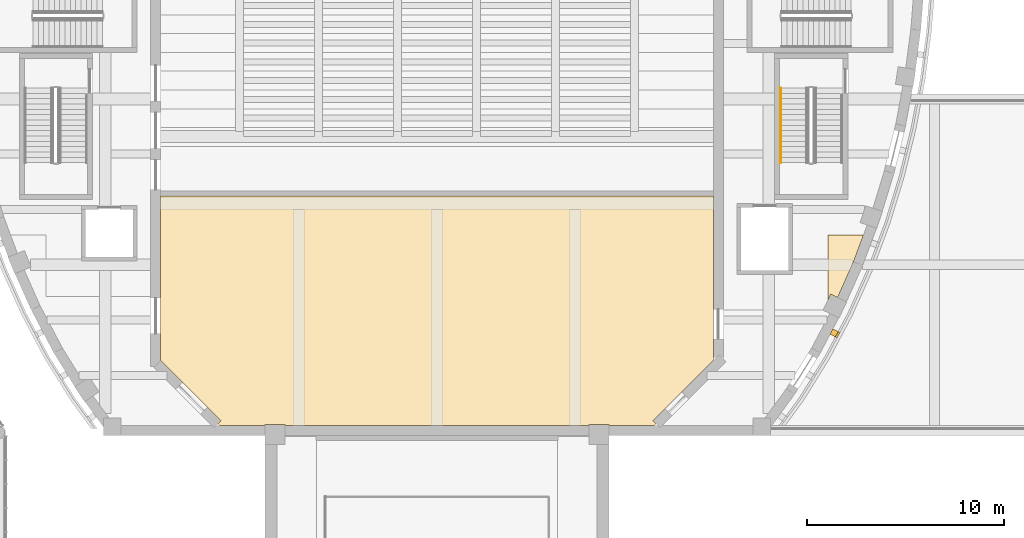
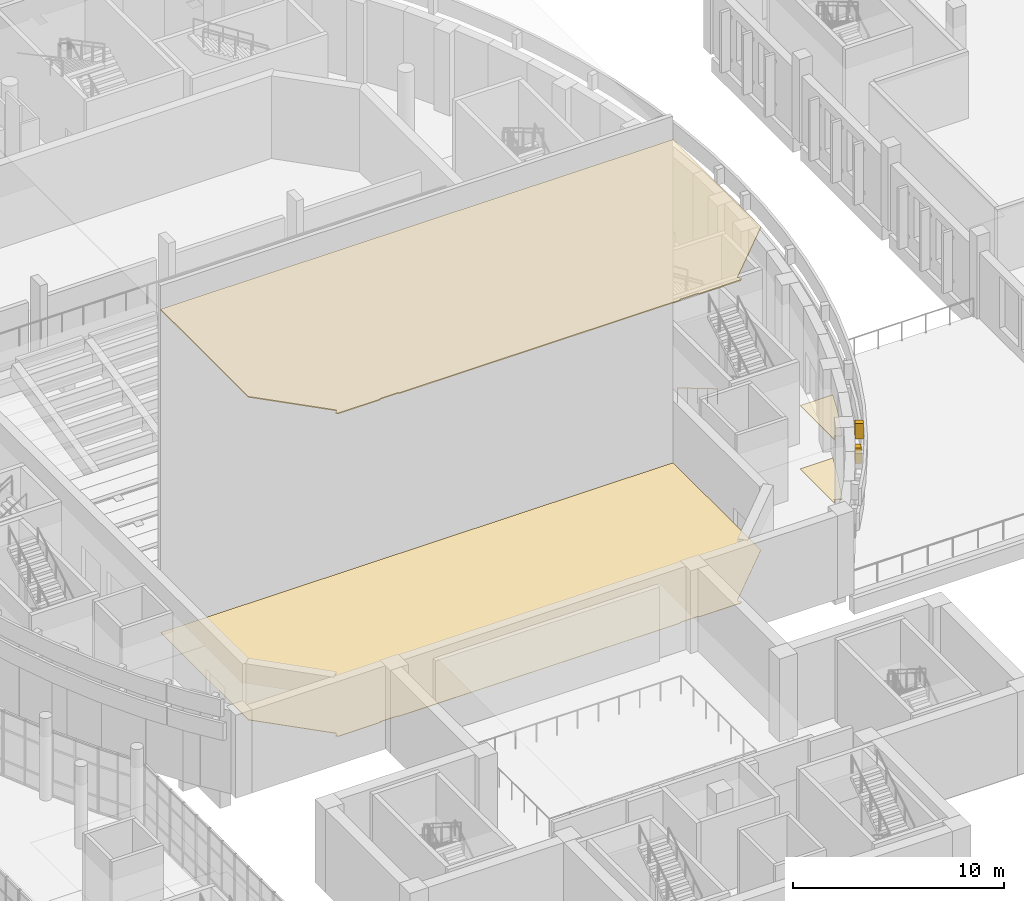
# One storey, part 101 of 119: 6 coverings, 1 railing.
"""IFC4 building model written with IfcOpenShell, lengths in metres."""

from ifc_helpers import new_model, si_unit, direction, frame, origin, origin_2d, place, context, subcontext, project, spatial, polyline, rectangle, circle, outline, extrude, material, layer, layer_set, type_object, element, save


model = new_model("IFC4")

# Units and contexts
model_context = context("Model", 3, precision=1e-05, world=origin(), true_north=direction((0.0, 1.0)))
body_context = subcontext(model_context, "Body", "Model", "MODEL_VIEW")
ifc_project = project(units=[si_unit("LENGTHUNIT", "METRE"), si_unit("AREAUNIT", "SQUARE_METRE"), si_unit("VOLUMEUNIT", "CUBIC_METRE"), si_unit("PLANEANGLEUNIT", "RADIAN"), si_unit("MASSUNIT", "GRAM", prefix="KILO")], contexts=[model_context])

# Site, building, storey
site_placement = place(None, origin())
site = spatial("IfcSite", under=ifc_project, at=site_placement, CompositionType="ELEMENT")
building_placement = place(site_placement, origin())
building = spatial("IfcBuilding", under=site, at=building_placement, Name="Larchfold Concert Hall", CompositionType="ELEMENT")
storey_placement = place(building_placement, frame((0.0, 0.0, 4.800048828125)))
storey = spatial("IfcBuildingStorey", under=building, at=storey_placement, Name="L01", CompositionType="ELEMENT", Elevation=4.800048828125)

# Coverings
ifc_material_1 = material(Name="Acoustic timber lining", Category="wood")
ifc_layer_1 = layer(ifc_material_1, 0.06005859375)
ifc_layer_set_1 = layer_set([ifc_layer_1], Name="Acoustic timber lining")
covering_type_1 = type_object("IfcCoveringType", Name="Ceiling acoustic timber lining 60", PredefinedType="CEILING", material=ifc_layer_set_1)
covering_1_placement = place(storey_placement, frame((0.0, 0.0, 19.83984375)))
element("IfcCovering", 1, at=covering_1_placement, inside=storey, type_object=covering_type_1, Name="Ceiling Concert Hall Platform", PredefinedType="CEILING", context=body_context, shape_type="SweptSolid", body=[
    extrude(outline(polyline([(31.654052734375, 59.8994140625), (31.50244140625, 59.74755859375), (31.60009765625, 59.64990234375), (33.89990234375, 59.64990234375), (33.89990234375, 59.699951171875), (34.89990234375, 59.699951171875), (34.89990234375, 59.64990234375), (50.300048828125, 59.64990234375), (50.300048828125, 59.699951171875), (51.300048828125, 59.699951171875), (51.300048828125, 59.64990234375), (53.60009765625, 59.64990234375), (53.697998046875, 59.747802734375), (53.546142578125, 59.8994140625), (56.60009765625, 62.953369140625), (56.60009765625, 71.27490234375), (28.60009765625, 71.27490234375), (28.60009765625, 62.953369140625), (31.654052734375, 59.8994140625)])), origin(), (0.0, 0.0, 1.0), 0.06005859375),
])
ifc_material_2 = material(Name="Plasterboard ceiling lining")
ifc_layer_2 = layer(ifc_material_2, 0.030029296875)
ifc_layer_set_2 = layer_set([ifc_layer_2], Name="Plasterboard ceiling lining")
covering_type_2 = type_object("IfcCoveringType", Name="Ceiling suspended plasterboard 30", PredefinedType="CEILING", material=ifc_layer_set_2)
covering_2_placement = place(storey_placement, frame((0.0, 0.0, 3.669921875)))
element("IfcCovering", 2, at=covering_2_placement, inside=storey, type_object=covering_type_2, Name="Ceiling Hall Foyer South East", PredefinedType="CEILING", context=body_context, shape_type="SweptSolid", body=[
    extrude(outline(polyline([(62.88623046875, 66.142333984375), (63.69287109375, 67.953369140625), (64.19384765625, 69.300048828125), (62.400146484375, 69.300048828125), (62.400146484375, 66.0224609375), (62.53955078125, 66.310302734375), (62.88623046875, 66.142333984375)])), origin(), (0.0, 0.0, 1.0), 0.030029296875),
])
ifc_material_3 = material(Name="Polished terrazzo")
ifc_layer_3 = layer(ifc_material_3, 0.0400390625)
ifc_layer_set_3 = layer_set([ifc_layer_3], Name="Polished terrazzo")
covering_type_3 = type_object("IfcCoveringType", Name="Floor finish terrazzo 40", PredefinedType="FLOORING", material=ifc_layer_set_3)
covering_3_placement = place(storey_placement, origin())
element("IfcCovering", 3, at=covering_3_placement, inside=storey, type_object=covering_type_3, Name="Floor finish Hall Foyer South East", PredefinedType="FLOORING", context=body_context, shape_type="SweptSolid", body=[
    extrude(outline(polyline([(62.88623046875, 66.142333984375), (63.69287109375, 67.953369140625), (64.19384765625, 69.300048828125), (62.400146484375, 69.300048828125), (62.400146484375, 66.0224609375), (62.53955078125, 66.310302734375), (62.88623046875, 66.142333984375)])), origin(), (0.0, 0.0, 1.0), 0.0400390625),
])
ifc_material_4 = material(Name="Oak boards on battens")
ifc_layer_4 = layer(ifc_material_4, 0.02490234375)
ifc_layer_set_4 = layer_set([ifc_layer_4], Name="Oak boards on battens")
covering_type_4 = type_object("IfcCoveringType", Name="Floor finish timber boards 25", PredefinedType="FLOORING", material=ifc_layer_set_4)
covering_4_placement = place(storey_placement, frame((0.0, 0.0, 1.199951171875)))
element("IfcCovering", 4, at=covering_4_placement, inside=storey, type_object=covering_type_4, Name="Floor finish Concert Hall Platform", PredefinedType="FLOORING", context=body_context, shape_type="SweptSolid", body=[
    extrude(outline(polyline([(31.654052734375, 59.8994140625), (31.50244140625, 59.74755859375), (31.60009765625, 59.64990234375), (33.89990234375, 59.64990234375), (33.89990234375, 59.699951171875), (34.89990234375, 59.699951171875), (34.89990234375, 59.64990234375), (50.300048828125, 59.64990234375), (50.300048828125, 59.699951171875), (51.300048828125, 59.699951171875), (51.300048828125, 59.64990234375), (53.60009765625, 59.64990234375), (53.697998046875, 59.747802734375), (53.546142578125, 59.8994140625), (56.60009765625, 62.953369140625), (56.60009765625, 71.27490234375), (28.60009765625, 71.27490234375), (28.60009765625, 62.953369140625), (31.654052734375, 59.8994140625)])), origin(), (0.0, 0.0, 1.0), 0.02490234375),
])
ifc_material_5 = material(Name="Galvanised steel bracket", Category="steel")
ifc_layer_5 = layer(ifc_material_5, 0.300048828125)
ifc_layer_set_5 = layer_set([ifc_layer_5], Name="Galvanised steel bracket")
covering_type_5 = type_object("IfcCoveringType", Name="Ring support bracket", PredefinedType="CLADDING", material=ifc_layer_set_5)
covering_5_placement = place(storey_placement, frame((62.710693359375, 64.351806640625, 3.35009765625), z_axis=(0.0, 0.0, 1.0), x_axis=(0.884535681061, -0.466472538238, 0.0)))
element("IfcCovering", 5, at=covering_5_placement, inside=storey, type_object=covering_type_5, Name="Ring bracket BR-R01-29", PredefinedType="CLADDING", context=body_context, shape_type="SweptSolid", body=[
    extrude(rectangle(XDim=0.300048828125, YDim=0.300048828125, at=origin_2d()), origin(), (0.0, 0.0, 1.0), 0.89990234375),
])
covering_6_placement = place(storey_placement, frame((62.755126953125, 64.328369140625, 4.75), z_axis=(0.0, 0.0, 1.0), x_axis=(0.884535681061, -0.466472538238, 0.0)))
element("IfcCovering", 6, at=covering_6_placement, inside=storey, type_object=covering_type_5, Name="Ring bracket BR-R02-29", PredefinedType="CLADDING", context=body_context, shape_type="SweptSolid", body=[
    extrude(rectangle(XDim=0.39990234375, YDim=0.300048828125, at=origin_2d()), origin(), (0.0, 0.0, 1.0), 0.89990234375),
])

# Railing
ifc_material_6 = material(Name="Stainless steel handrail", Category="steel")
railing_type = type_object("IfcRailingType", Name="Stair handrail 900", PredefinedType="HANDRAIL", material=ifc_material_6)
railing_placement = place(storey_placement, frame((60.0, 76.75, 0.159912109375)))
element("IfcRailing", 7, at=railing_placement, inside=storey, type_object=railing_type, Name="Handrail HR0021", PredefinedType="HANDRAIL", context=body_context, shape_type="SweptSolid", body=[
    extrude(circle(Radius=0.02392578125, at=origin_2d()), frame((0.0, 0.0, 0.8759765625), z_axis=(0.0, -0.860294241299, 0.509797821089), x_axis=(1.0, 0.0, 0.0)), (0.0, 0.0, 1.0), 4.393798828125),
    extrude(circle(Radius=0.02099609375, at=origin_2d()), origin(), (0.0, 0.0, 1.0), 0.851806640625),
    extrude(circle(Radius=0.02099609375, at=origin_2d()), frame((0.0, -0.945068359375, 0.56005859375)), (0.0, 0.0, 1.0), 0.851806640625),
    extrude(circle(Radius=0.02099609375, at=origin_2d()), frame((0.0, -1.89013671875, 1.1201171875)), (0.0, 0.0, 1.0), 0.851806640625),
    extrude(circle(Radius=0.02099609375, at=origin_2d()), frame((0.0, -2.8349609375, 1.679931640625)), (0.0, 0.0, 1.0), 0.851806640625),
    extrude(circle(Radius=0.02099609375, at=origin_2d()), frame((0.0, -3.780029296875, 2.239990234375)), (0.0, 0.0, 1.0), 0.851806640625),
])

save(model, "model.ifc")
